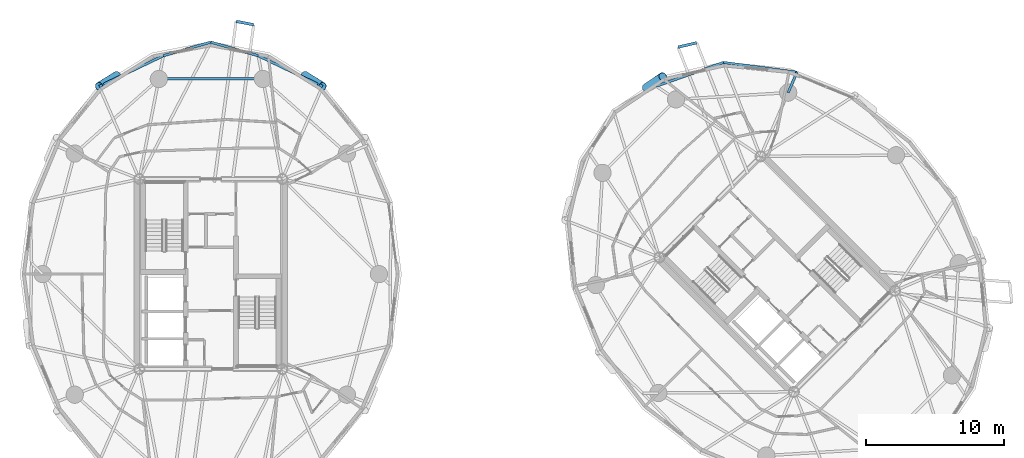
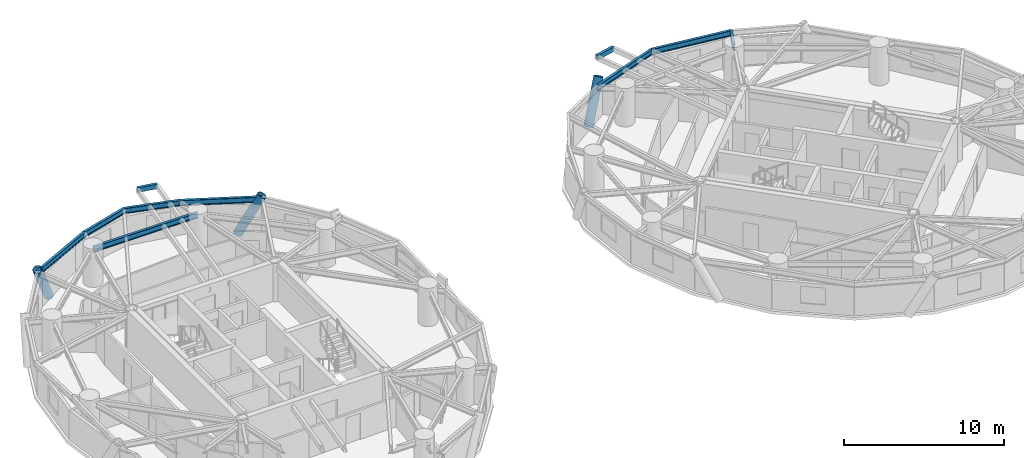
# One storey, part 6 of 17: 10 beams, 3 members.
"""IFC4 building model written with IfcOpenShell, lengths in metres."""

from ifc_helpers import new_model, si_unit, direction, frame, origin, origin_2d, place, context, subcontext, project, spatial, hollow_rectangle, hollow_circle, i_section, extrude, material, material_profile, profile_set, type_object, element, save


model = new_model("IFC4")

# Units and contexts
model_context = context("Model", 3, precision=1e-05, world=origin(), true_north=direction((0.0, 1.0)))
body_context = subcontext(model_context, "Body", "Model", "MODEL_VIEW")
ifc_project = project(units=[si_unit("LENGTHUNIT", "METRE"), si_unit("AREAUNIT", "SQUARE_METRE"), si_unit("VOLUMEUNIT", "CUBIC_METRE"), si_unit("PLANEANGLEUNIT", "RADIAN"), si_unit("MASSUNIT", "GRAM", prefix="KILO")], contexts=[model_context])

# Site, building, storey
site_placement = place(None, origin())
site = spatial("IfcSite", under=ifc_project, at=site_placement, CompositionType="ELEMENT")
building_placement = place(site_placement, origin())
building = spatial("IfcBuilding", under=site, at=building_placement, Name="Cununo Teusaquillo Station Towers", CompositionType="ELEMENT")
storey_placement = place(building_placement, frame((0.0, 0.0, 174.8798828125)))
storey = spatial("IfcBuildingStorey", under=building, at=storey_placement, Name="L55", CompositionType="ELEMENT", Elevation=174.8798828125)

# Beams
ifc_material_1 = material(Name="Steel ASTM A572 Grade 50", Category="steel")
ifc_material_profile_1 = material_profile(ifc_material_1, i_section(OverallWidth=0.180908203125, OverallDepth=0.4169921875, WebThickness=0.010986328125, FlangeThickness=0.018310546875, FilletRadius=0.012939453125, at=origin_2d()), Name="W16X57")
ifc_profile_set_1 = profile_set([ifc_material_profile_1], Name="Steel ASTM A572 Grade 50")
beam_type_1 = type_object("IfcBeamType", Name="BM-RAD-G2", PredefinedType="BEAM", material=ifc_profile_set_1)
beam_1_placement = place(storey_placement, frame((58.291015625, 37.63525390625, 2.481689453125), z_axis=(0.397381487564, 0.917653503966, 0.0), x_axis=(-0.917653503966, 0.397381487564, 0.0)))
element("IfcBeam", 1, at=beam_1_placement, inside=storey, type_object=beam_type_1, Name="L55 Tower B Perimeter Overhang Girder 02B", PredefinedType="BEAM", context=body_context, shape_type="SweptSolid", body=[
    extrude(i_section(OverallWidth=0.180908203125, OverallDepth=0.4169921875, WebThickness=0.010986328125, FlangeThickness=0.018310546875, FilletRadius=0.012939453125, at=origin_2d()), origin(), (0.0, 0.0, 1.0), 1.607177734375),
])
ifc_material_2 = material(Name="Steel ASTM A572 Grade 50", Category="steel")
ifc_material_profile_2 = material_profile(ifc_material_2, i_section(OverallWidth=0.180908203125, OverallDepth=0.4169921875, WebThickness=0.010986328125, FlangeThickness=0.018310546875, FilletRadius=0.012939453125, at=origin_2d()), Name="W16X57")
ifc_profile_set_2 = profile_set([ifc_material_profile_2], Name="Steel ASTM A572 Grade 50")
beam_type_2 = type_object("IfcBeamType", Name="BM-RING-Z3", PredefinedType="SPANDREL", material=ifc_profile_set_2)
beam_2_placement = place(storey_placement, frame((20.261474609375, 38.623291015625, 2.481689453125), z_axis=(-1.0, 0.0, 0.0), x_axis=(0.0, -1.0, 0.0)))
element("IfcBeam", 2, at=beam_2_placement, inside=storey, type_object=beam_type_2, Name="L55 Tower A Structural Column Ring Girder 03", PredefinedType="SPANDREL", context=body_context, shape_type="SweptSolid", body=[
    extrude(i_section(OverallWidth=0.180908203125, OverallDepth=0.4169921875, WebThickness=0.010986328125, FlangeThickness=0.018310546875, FilletRadius=0.012939453125, at=origin_2d()), origin(), (0.0, 0.0, 1.0), 7.52294921875),
])
beam_3_placement = place(storey_placement, frame((24.58251953125, 38.08349609375, 2.481689453125), z_axis=(-0.902031610991, 0.431669981319, 0.0), x_axis=(-0.431669981319, -0.902031610991, 0.0)))
element("IfcBeam", 3, at=beam_3_placement, inside=storey, type_object=beam_type_2, Name="L55 Tower A Spandrel Ring Beam 04", PredefinedType="SPANDREL", context=body_context, shape_type="SweptSolid", body=[
    extrude(i_section(OverallWidth=0.180908203125, OverallDepth=0.4169921875, WebThickness=0.010986328125, FlangeThickness=0.018310546875, FilletRadius=0.012939453125, at=origin_2d()), origin(), (0.0, 0.0, 1.0), 5.1552734375),
])
for number, where, z_axis, x_axis, name in (
    (4, (19.932373046875, 40.308837890625, 2.481689453125), (-0.961485227168, 0.274856613414, 0.0), (-0.274856613414, -0.961485227168, 0.0), "L55 Tower A Spandrel Ring Beam 05"),
    (5, (16.5, 41.2900390625, 2.481689453125), (-0.961485227168, -0.274856613414, 0.0), (0.274856613414, -0.961485227168, 0.0), "L55 Tower A Spandrel Ring Beam 06"),
):
    element("IfcBeam", number, at=place(storey_placement, frame(where, z_axis=z_axis, x_axis=x_axis)), inside=storey, type_object=beam_type_2, Name=name, PredefinedType="SPANDREL", context=body_context, shape_type="SweptSolid", body=[
        extrude(i_section(OverallWidth=0.180908203125, OverallDepth=0.4169921875, WebThickness=0.010986328125, FlangeThickness=0.018310546875, FilletRadius=0.012939453125, at=origin_2d()), origin(), (0.0, 0.0, 1.0), 3.56982421875),
    ])
beam_4_placement = place(storey_placement, frame((13.067626953125, 40.308837890625, 2.481689453125), z_axis=(-0.902031610991, -0.431669981319, 0.0), x_axis=(0.431669981319, -0.902031610991, 0.0)))
element("IfcBeam", 6, at=beam_4_placement, inside=storey, type_object=beam_type_2, Name="L55 Tower A Spandrel Ring Beam 07", PredefinedType="SPANDREL", context=body_context, shape_type="SweptSolid", body=[
    extrude(i_section(OverallWidth=0.180908203125, OverallDepth=0.4169921875, WebThickness=0.010986328125, FlangeThickness=0.018310546875, FilletRadius=0.012939453125, at=origin_2d()), origin(), (0.0, 0.0, 1.0), 5.1552734375),
])
beam_5_placement = place(storey_placement, frame((58.9296875, 39.110107421875, 2.481689453125), z_axis=(-0.991204443213, 0.132339532096, 0.0), x_axis=(-0.132339532096, -0.991204443213, 0.0)))
element("IfcBeam", 7, at=beam_5_placement, inside=storey, type_object=beam_type_2, Name="L55 Tower B Spandrel Ring Beam 03", PredefinedType="SPANDREL", context=body_context, shape_type="SweptSolid", body=[
    extrude(i_section(OverallWidth=0.180908203125, OverallDepth=0.4169921875, WebThickness=0.010986328125, FlangeThickness=0.018310546875, FilletRadius=0.012939453125, at=origin_2d()), origin(), (0.0, 0.0, 1.0), 5.366455078125),
])
beam_6_placement = place(storey_placement, frame((53.6103515625, 39.8203125, 2.481689453125), z_axis=(-0.943071614141, -0.332589733158, 0.0), x_axis=(0.332589733158, -0.943071614141, 0.0)))
element("IfcBeam", 8, at=beam_6_placement, inside=storey, type_object=beam_type_2, Name="L55 Tower B Spandrel Ring Beam 04", PredefinedType="SPANDREL", context=body_context, shape_type="SweptSolid", body=[
    extrude(i_section(OverallWidth=0.180908203125, OverallDepth=0.4169921875, WebThickness=0.010986328125, FlangeThickness=0.018310546875, FilletRadius=0.012939453125, at=origin_2d()), origin(), (0.0, 0.0, 1.0), 5.1552734375),
])
ifc_material_3 = material(Name="Steel EN 10025-2 S355J2", Category="steel")
ifc_material_profile_3 = material_profile(ifc_material_3, hollow_rectangle(XDim=0.199951171875, YDim=0.35009765625, WallThickness=0.013916015625, at=origin_2d()), Name="RHS 350x200x14")
ifc_profile_set_3 = profile_set([ifc_material_profile_3], Name="Steel EN 10025-2 S355J2")
beam_type_3 = type_object("IfcBeamType", Name="BM-STAIR-TRIM", PredefinedType="BEAM", material=ifc_profile_set_3)
beam_7_placement = place(storey_placement, frame((19.60400390625, 42.5498046875, 2.525146484375), z_axis=(-0.981844538169, 0.189687381942, 0.0), x_axis=(-0.189687381942, -0.981844538169, 0.0)))
element("IfcBeam", 9, at=beam_7_placement, inside=storey, type_object=beam_type_3, Name="L55 Tower A Balcony Edge Trimmer Beam 1", PredefinedType="BEAM", context=body_context, shape_type="SweptSolid", body=[
    extrude(hollow_rectangle(XDim=0.199951171875, YDim=0.35009765625, WallThickness=0.013916015625, at=origin_2d()), origin(), (0.0, 0.0, 1.0), 1.29345703125),
])
beam_8_placement = place(storey_placement, frame((51.66552734375, 41.2421875, 2.525146484375), z_axis=(-0.97385292675, -0.227179394005, 0.0), x_axis=(0.227179394005, -0.97385292675, 0.0)))
element("IfcBeam", 10, at=beam_8_placement, inside=storey, type_object=beam_type_3, Name="L55 Tower B Balcony Edge Trimmer Beam 1", PredefinedType="BEAM", context=body_context, shape_type="SweptSolid", body=[
    extrude(hollow_rectangle(XDim=0.199951171875, YDim=0.35009765625, WallThickness=0.013916015625, at=origin_2d()), origin(), (0.0, 0.0, 1.0), 1.383056640625),
])

# Members
ifc_material_4 = material(Name="Steel EN 10025-2 S355J2", Category="steel")
ifc_material_profile_4 = material_profile(ifc_material_4, hollow_circle(Radius=0.304931640625, WallThickness=0.02001953125, at=origin_2d()), Name="CHS 610x20")
ifc_profile_set_4 = profile_set([ifc_material_profile_4], Name="Steel EN 10025-2 S355J2")
member_type = type_object("IfcMemberType", Name="MBR-DIAG-Z3", PredefinedType="BRACE", material=ifc_profile_set_4)
for number, where, z_axis, x_axis, name in (
    (11, (23.3046875, 38.87841796875, -0.139892578125), (0.390055565185, -0.24264824613, 0.888244608606), (0.528218719344, 0.849108346758, 0.0), "L55 Tower A Folded-Zigzag Diagrid Tube C03"),
    (12, (9.6953125, 38.87841796875, -0.139892578125), (-0.390055565185, -0.24264824613, 0.888244608606), (0.528218719344, -0.849108346758, 0.0), "L55 Tower A Folded-Zigzag Diagrid Tube C06"),
):
    element("IfcMember", number, at=place(storey_placement, frame(where, z_axis=z_axis, x_axis=x_axis)), inside=storey, type_object=member_type, Name=name, PredefinedType="BRACE", context=body_context, shape_type="SweptSolid", body=[
        extrude(hollow_circle(Radius=0.304931640625, WallThickness=0.02001953125, at=origin_2d()), origin(), (0.0, 0.0, 1.0), 3.276123046875),
    ])
member_placement = place(storey_placement, frame((48.018310546875, 37.988037109375, -0.139892578125), z_axis=(0.367958726779, 0.248738595896, 0.895955069353), x_axis=(-0.560039546625, 0.828465875107, 0.0)))
element("IfcMember", 13, at=member_placement, inside=storey, type_object=member_type, Name="L55 Tower B Folded-Zigzag Diagrid Tube C04", PredefinedType="BRACE", context=body_context, shape_type="SweptSolid", body=[
    extrude(hollow_circle(Radius=0.304931640625, WallThickness=0.02001953125, at=origin_2d()), origin(), (0.0, 0.0, 1.0), 3.247802734375),
])

save(model, "model.ifc")
